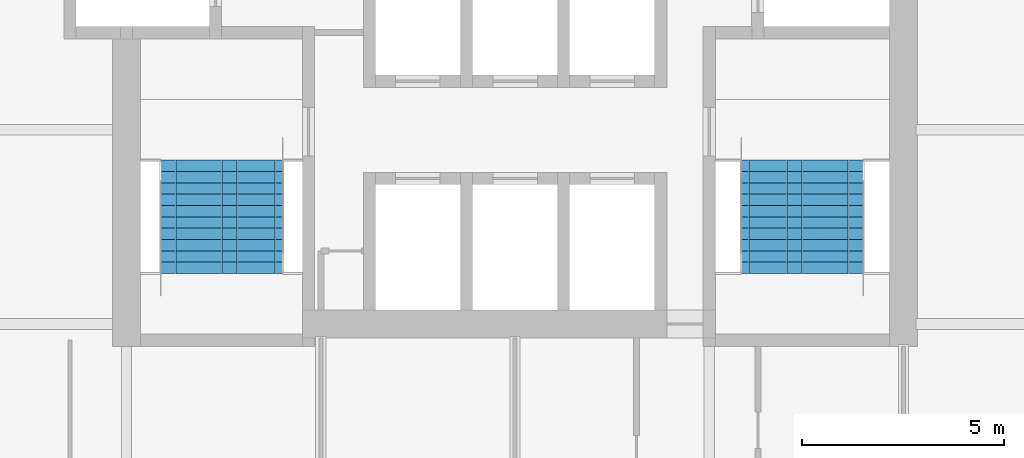
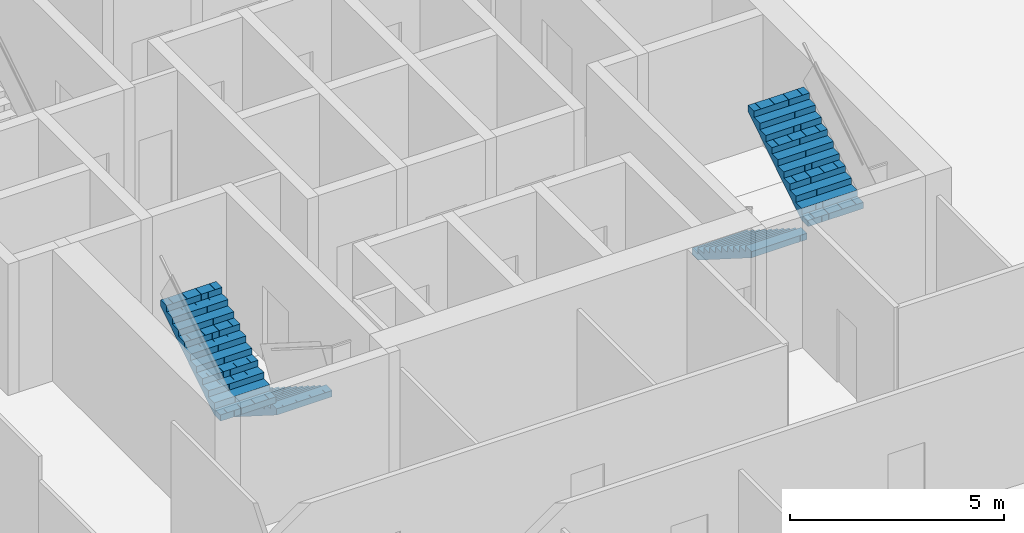
# One storey, part 12 of 15: 4 stair flights, 2 elements without a shape of their own.
"""IFC4 building model written with IfcOpenShell, lengths in metres."""

from ifc_helpers import new_model, si_unit, direction, frame, origin, place, context, subcontext, project, spatial, polyline, outline, extrude, material, type_object, element, aggregate, save


model = new_model("IFC4")

# Units and contexts
model_context = context("Model", 3, precision=1e-05, world=origin(), true_north=direction((0.0, 1.0)))
body_context = subcontext(model_context, "Body", "Model", "MODEL_VIEW")
ifc_project = project(units=[si_unit("LENGTHUNIT", "METRE"), si_unit("AREAUNIT", "SQUARE_METRE"), si_unit("VOLUMEUNIT", "CUBIC_METRE"), si_unit("PLANEANGLEUNIT", "RADIAN"), si_unit("MASSUNIT", "GRAM", prefix="KILO")], contexts=[model_context])

# Site, building, storey
site_placement = place(None, origin())
site = spatial("IfcSite", under=ifc_project, at=site_placement, CompositionType="ELEMENT")
building_placement = place(site_placement, origin())
building = spatial("IfcBuilding", under=site, at=building_placement, Name="Kolab Exchange Tower", CompositionType="ELEMENT")
storey_placement = place(building_placement, frame((0.0, 0.0, 201.199951171875)))
storey = spatial("IfcBuildingStorey", under=building, at=storey_placement, Name="L43", CompositionType="ELEMENT", Elevation=201.199951171875)

# Stair, stair flights
ifc_material = material(Name="Concrete C50/60", Category="concrete")
stair_type_1 = type_object("IfcStairType", Name="STAIR ST3 RISER 177.3", PredefinedType="HALF_TURN_STAIR", material=ifc_material)
stair_1_placement = place(storey_placement, origin())
stair_1 = element("IfcStair", 1, at=stair_1_placement, inside=storey, type_object=stair_type_1, Name="Stair 3", PredefinedType="HALF_TURN_STAIR")
stair_flight_type = type_object("IfcStairFlightType", Name="STAIR FLIGHT 1500 RISER 177.3", PredefinedType="STRAIGHT", material=ifc_material)
stair_flight_1_placement = place(storey_placement, frame((-6.489990234375, -5.550048828125, 0.0), z_axis=(0.0, 0.0, 1.0), x_axis=(0.0, -1.0, 0.0)))
stair_flight_1 = element("IfcStairFlight", 2, at=stair_flight_1_placement, type_object=stair_flight_type, Name="ST3 flight 1", NumberOfRisers=11, NumberOfTreads=10, PredefinedType="STRAIGHT", RiserHeight=0.177272727, TreadLength=0.28, context=body_context, shape_type="SweptSolid", body=[
    extrude(outline(polyline([(0.0, 0.0), (0.0, 0.17724609375), (0.280029296875, 0.17724609375), (0.280029296875, 0.3544921875), (0.56005859375, 0.3544921875), (0.56005859375, 0.53173828125), (0.840087890625, 0.53173828125), (0.840087890625, 0.708984375), (1.1201171875, 0.708984375), (1.1201171875, 0.886474609375), (1.39990234375, 0.886474609375), (1.39990234375, 1.063720703125), (1.679931640625, 1.063720703125), (1.679931640625, 1.240966796875), (1.9599609375, 1.240966796875), (1.9599609375, 1.418212890625), (2.239990234375, 1.418212890625), (2.239990234375, 1.595458984375), (2.52001953125, 1.595458984375), (2.52001953125, 1.772705078125), (2.800048828125, 1.772705078125), (2.800048828125, 1.949951171875), (2.800048828125, 1.59521484375), (0.2802734375, 0.0), (0.0, 0.0)])), frame((0.0, 0.75, 0.0), z_axis=(0.0, -1.0, 0.0), x_axis=(1.0, 0.0, 0.0)), (0.0, 0.0, 1.0), 0.185791015625),
    extrude(outline(polyline([(0.0, 0.0), (0.0, 0.17724609375), (0.280029296875, 0.17724609375), (0.280029296875, 0.3544921875), (0.56005859375, 0.3544921875), (0.56005859375, 0.53173828125), (0.840087890625, 0.53173828125), (0.840087890625, 0.708984375), (1.1201171875, 0.708984375), (1.1201171875, 0.886474609375), (1.39990234375, 0.886474609375), (1.39990234375, 1.063720703125), (1.679931640625, 1.063720703125), (1.679931640625, 1.240966796875), (1.9599609375, 1.240966796875), (1.9599609375, 1.418212890625), (2.239990234375, 1.418212890625), (2.239990234375, 1.595458984375), (2.52001953125, 1.595458984375), (2.52001953125, 1.772705078125), (2.800048828125, 1.772705078125), (2.800048828125, 1.949951171875), (2.800048828125, 1.59521484375), (0.2802734375, 0.0), (0.0, 0.0)])), frame((0.0, 0.562255859375, 0.0), z_axis=(0.0, -1.0, 0.0), x_axis=(1.0, 0.0, 0.0)), (0.0, 0.0, 1.0), 0.185791015625),
    extrude(outline(polyline([(0.0, 0.0), (0.0, 0.17724609375), (0.280029296875, 0.17724609375), (0.280029296875, 0.3544921875), (0.56005859375, 0.3544921875), (0.56005859375, 0.53173828125), (0.840087890625, 0.53173828125), (0.840087890625, 0.708984375), (1.1201171875, 0.708984375), (1.1201171875, 0.886474609375), (1.39990234375, 0.886474609375), (1.39990234375, 1.063720703125), (1.679931640625, 1.063720703125), (1.679931640625, 1.240966796875), (1.9599609375, 1.240966796875), (1.9599609375, 1.418212890625), (2.239990234375, 1.418212890625), (2.239990234375, 1.595458984375), (2.52001953125, 1.595458984375), (2.52001953125, 1.772705078125), (2.800048828125, 1.772705078125), (2.800048828125, 1.949951171875), (2.800048828125, 1.59521484375), (0.2802734375, 0.0), (0.0, 0.0)])), frame((0.0, 0.37451171875, 0.0), z_axis=(0.0, -1.0, 0.0), x_axis=(1.0, 0.0, 0.0)), (0.0, 0.0, 1.0), 0.185791015625),
    extrude(outline(polyline([(0.0, 0.0), (0.0, 0.17724609375), (0.280029296875, 0.17724609375), (0.280029296875, 0.3544921875), (0.56005859375, 0.3544921875), (0.56005859375, 0.53173828125), (0.840087890625, 0.53173828125), (0.840087890625, 0.708984375), (1.1201171875, 0.708984375), (1.1201171875, 0.886474609375), (1.39990234375, 0.886474609375), (1.39990234375, 1.063720703125), (1.679931640625, 1.063720703125), (1.679931640625, 1.240966796875), (1.9599609375, 1.240966796875), (1.9599609375, 1.418212890625), (2.239990234375, 1.418212890625), (2.239990234375, 1.595458984375), (2.52001953125, 1.595458984375), (2.52001953125, 1.772705078125), (2.800048828125, 1.772705078125), (2.800048828125, 1.949951171875), (2.800048828125, 1.59521484375), (0.2802734375, 0.0), (0.0, 0.0)])), frame((0.0, 0.186767578125, 0.0), z_axis=(0.0, -1.0, 0.0), x_axis=(1.0, 0.0, 0.0)), (0.0, 0.0, 1.0), 0.185791015625),
    extrude(outline(polyline([(0.0, 0.0), (0.0, 0.17724609375), (0.280029296875, 0.17724609375), (0.280029296875, 0.3544921875), (0.56005859375, 0.3544921875), (0.56005859375, 0.53173828125), (0.840087890625, 0.53173828125), (0.840087890625, 0.708984375), (1.1201171875, 0.708984375), (1.1201171875, 0.886474609375), (1.39990234375, 0.886474609375), (1.39990234375, 1.063720703125), (1.679931640625, 1.063720703125), (1.679931640625, 1.240966796875), (1.9599609375, 1.240966796875), (1.9599609375, 1.418212890625), (2.239990234375, 1.418212890625), (2.239990234375, 1.595458984375), (2.52001953125, 1.595458984375), (2.52001953125, 1.772705078125), (2.800048828125, 1.772705078125), (2.800048828125, 1.949951171875), (2.800048828125, 1.59521484375), (0.2802734375, 0.0), (0.0, 0.0)])), frame((0.0, -0.0009765625, 0.0), z_axis=(0.0, -1.0, 0.0), x_axis=(1.0, 0.0, 0.0)), (0.0, 0.0, 1.0), 0.185791015625),
    extrude(outline(polyline([(0.0, 0.0), (0.0, 0.17724609375), (0.280029296875, 0.17724609375), (0.280029296875, 0.3544921875), (0.56005859375, 0.3544921875), (0.56005859375, 0.53173828125), (0.840087890625, 0.53173828125), (0.840087890625, 0.708984375), (1.1201171875, 0.708984375), (1.1201171875, 0.886474609375), (1.39990234375, 0.886474609375), (1.39990234375, 1.063720703125), (1.679931640625, 1.063720703125), (1.679931640625, 1.240966796875), (1.9599609375, 1.240966796875), (1.9599609375, 1.418212890625), (2.239990234375, 1.418212890625), (2.239990234375, 1.595458984375), (2.52001953125, 1.595458984375), (2.52001953125, 1.772705078125), (2.800048828125, 1.772705078125), (2.800048828125, 1.949951171875), (2.800048828125, 1.59521484375), (0.2802734375, 0.0), (0.0, 0.0)])), frame((0.0, -0.188720703125, 0.0), z_axis=(0.0, -1.0, 0.0), x_axis=(1.0, 0.0, 0.0)), (0.0, 0.0, 1.0), 0.185791015625),
    extrude(outline(polyline([(0.0, 0.0), (0.0, 0.17724609375), (0.280029296875, 0.17724609375), (0.280029296875, 0.3544921875), (0.56005859375, 0.3544921875), (0.56005859375, 0.53173828125), (0.840087890625, 0.53173828125), (0.840087890625, 0.708984375), (1.1201171875, 0.708984375), (1.1201171875, 0.886474609375), (1.39990234375, 0.886474609375), (1.39990234375, 1.063720703125), (1.679931640625, 1.063720703125), (1.679931640625, 1.240966796875), (1.9599609375, 1.240966796875), (1.9599609375, 1.418212890625), (2.239990234375, 1.418212890625), (2.239990234375, 1.595458984375), (2.52001953125, 1.595458984375), (2.52001953125, 1.772705078125), (2.800048828125, 1.772705078125), (2.800048828125, 1.949951171875), (2.800048828125, 1.59521484375), (0.2802734375, 0.0), (0.0, 0.0)])), frame((0.0, -0.37646484375, 0.0), z_axis=(0.0, -1.0, 0.0), x_axis=(1.0, 0.0, 0.0)), (0.0, 0.0, 1.0), 0.185791015625),
    extrude(outline(polyline([(0.0, 0.0), (0.0, 0.17724609375), (0.280029296875, 0.17724609375), (0.280029296875, 0.3544921875), (0.56005859375, 0.3544921875), (0.56005859375, 0.53173828125), (0.840087890625, 0.53173828125), (0.840087890625, 0.708984375), (1.1201171875, 0.708984375), (1.1201171875, 0.886474609375), (1.39990234375, 0.886474609375), (1.39990234375, 1.063720703125), (1.679931640625, 1.063720703125), (1.679931640625, 1.240966796875), (1.9599609375, 1.240966796875), (1.9599609375, 1.418212890625), (2.239990234375, 1.418212890625), (2.239990234375, 1.595458984375), (2.52001953125, 1.595458984375), (2.52001953125, 1.772705078125), (2.800048828125, 1.772705078125), (2.800048828125, 1.949951171875), (2.800048828125, 1.59521484375), (0.2802734375, 0.0), (0.0, 0.0)])), frame((0.0, -0.564208984375, 0.0), z_axis=(0.0, -1.0, 0.0), x_axis=(1.0, 0.0, 0.0)), (0.0, 0.0, 1.0), 0.185791015625),
])
stair_flight_2_placement = place(storey_placement, frame((-8.010009765625, -8.35009765625, 1.949951171875), z_axis=(0.0, 0.0, 1.0), x_axis=(0.0, 1.0, 0.0)))
stair_flight_2 = element("IfcStairFlight", 3, at=stair_flight_2_placement, type_object=stair_flight_type, Name="ST3 flight 2", NumberOfRisers=11, NumberOfTreads=10, PredefinedType="STRAIGHT", RiserHeight=0.177272727, TreadLength=0.28, context=body_context, shape_type="SweptSolid", body=[
    extrude(outline(polyline([(0.0, 0.0), (0.0, 0.17724609375), (0.280029296875, 0.17724609375), (0.280029296875, 0.3544921875), (0.56005859375, 0.3544921875), (0.56005859375, 0.53173828125), (0.840087890625, 0.53173828125), (0.840087890625, 0.708984375), (1.1201171875, 0.708984375), (1.1201171875, 0.886474609375), (1.39990234375, 0.886474609375), (1.39990234375, 1.063720703125), (1.679931640625, 1.063720703125), (1.679931640625, 1.240966796875), (1.9599609375, 1.240966796875), (1.9599609375, 1.418212890625), (2.239990234375, 1.418212890625), (2.239990234375, 1.595458984375), (2.52001953125, 1.595458984375), (2.52001953125, 1.772705078125), (2.800048828125, 1.772705078125), (2.800048828125, 1.949951171875), (2.800048828125, 1.59521484375), (0.2802734375, 0.0), (0.0, 0.0)])), frame((0.0, 0.75, 0.0), z_axis=(0.0, -1.0, 0.0), x_axis=(1.0, 0.0, 0.0)), (0.0, 0.0, 1.0), 0.185791015625),
    extrude(outline(polyline([(0.0, 0.0), (0.0, 0.17724609375), (0.280029296875, 0.17724609375), (0.280029296875, 0.3544921875), (0.56005859375, 0.3544921875), (0.56005859375, 0.53173828125), (0.840087890625, 0.53173828125), (0.840087890625, 0.708984375), (1.1201171875, 0.708984375), (1.1201171875, 0.886474609375), (1.39990234375, 0.886474609375), (1.39990234375, 1.063720703125), (1.679931640625, 1.063720703125), (1.679931640625, 1.240966796875), (1.9599609375, 1.240966796875), (1.9599609375, 1.418212890625), (2.239990234375, 1.418212890625), (2.239990234375, 1.595458984375), (2.52001953125, 1.595458984375), (2.52001953125, 1.772705078125), (2.800048828125, 1.772705078125), (2.800048828125, 1.949951171875), (2.800048828125, 1.59521484375), (0.2802734375, 0.0), (0.0, 0.0)])), frame((0.0, 0.562255859375, 0.0), z_axis=(0.0, -1.0, 0.0), x_axis=(1.0, 0.0, 0.0)), (0.0, 0.0, 1.0), 0.185791015625),
    extrude(outline(polyline([(0.0, 0.0), (0.0, 0.17724609375), (0.280029296875, 0.17724609375), (0.280029296875, 0.3544921875), (0.56005859375, 0.3544921875), (0.56005859375, 0.53173828125), (0.840087890625, 0.53173828125), (0.840087890625, 0.708984375), (1.1201171875, 0.708984375), (1.1201171875, 0.886474609375), (1.39990234375, 0.886474609375), (1.39990234375, 1.063720703125), (1.679931640625, 1.063720703125), (1.679931640625, 1.240966796875), (1.9599609375, 1.240966796875), (1.9599609375, 1.418212890625), (2.239990234375, 1.418212890625), (2.239990234375, 1.595458984375), (2.52001953125, 1.595458984375), (2.52001953125, 1.772705078125), (2.800048828125, 1.772705078125), (2.800048828125, 1.949951171875), (2.800048828125, 1.59521484375), (0.2802734375, 0.0), (0.0, 0.0)])), frame((0.0, 0.37451171875, 0.0), z_axis=(0.0, -1.0, 0.0), x_axis=(1.0, 0.0, 0.0)), (0.0, 0.0, 1.0), 0.185791015625),
    extrude(outline(polyline([(0.0, 0.0), (0.0, 0.17724609375), (0.280029296875, 0.17724609375), (0.280029296875, 0.3544921875), (0.56005859375, 0.3544921875), (0.56005859375, 0.53173828125), (0.840087890625, 0.53173828125), (0.840087890625, 0.708984375), (1.1201171875, 0.708984375), (1.1201171875, 0.886474609375), (1.39990234375, 0.886474609375), (1.39990234375, 1.063720703125), (1.679931640625, 1.063720703125), (1.679931640625, 1.240966796875), (1.9599609375, 1.240966796875), (1.9599609375, 1.418212890625), (2.239990234375, 1.418212890625), (2.239990234375, 1.595458984375), (2.52001953125, 1.595458984375), (2.52001953125, 1.772705078125), (2.800048828125, 1.772705078125), (2.800048828125, 1.949951171875), (2.800048828125, 1.59521484375), (0.2802734375, 0.0), (0.0, 0.0)])), frame((0.0, 0.186767578125, 0.0), z_axis=(0.0, -1.0, 0.0), x_axis=(1.0, 0.0, 0.0)), (0.0, 0.0, 1.0), 0.185791015625),
    extrude(outline(polyline([(0.0, 0.0), (0.0, 0.17724609375), (0.280029296875, 0.17724609375), (0.280029296875, 0.3544921875), (0.56005859375, 0.3544921875), (0.56005859375, 0.53173828125), (0.840087890625, 0.53173828125), (0.840087890625, 0.708984375), (1.1201171875, 0.708984375), (1.1201171875, 0.886474609375), (1.39990234375, 0.886474609375), (1.39990234375, 1.063720703125), (1.679931640625, 1.063720703125), (1.679931640625, 1.240966796875), (1.9599609375, 1.240966796875), (1.9599609375, 1.418212890625), (2.239990234375, 1.418212890625), (2.239990234375, 1.595458984375), (2.52001953125, 1.595458984375), (2.52001953125, 1.772705078125), (2.800048828125, 1.772705078125), (2.800048828125, 1.949951171875), (2.800048828125, 1.59521484375), (0.2802734375, 0.0), (0.0, 0.0)])), frame((0.0, -0.0009765625, 0.0), z_axis=(0.0, -1.0, 0.0), x_axis=(1.0, 0.0, 0.0)), (0.0, 0.0, 1.0), 0.185791015625),
    extrude(outline(polyline([(0.0, 0.0), (0.0, 0.17724609375), (0.280029296875, 0.17724609375), (0.280029296875, 0.3544921875), (0.56005859375, 0.3544921875), (0.56005859375, 0.53173828125), (0.840087890625, 0.53173828125), (0.840087890625, 0.708984375), (1.1201171875, 0.708984375), (1.1201171875, 0.886474609375), (1.39990234375, 0.886474609375), (1.39990234375, 1.063720703125), (1.679931640625, 1.063720703125), (1.679931640625, 1.240966796875), (1.9599609375, 1.240966796875), (1.9599609375, 1.418212890625), (2.239990234375, 1.418212890625), (2.239990234375, 1.595458984375), (2.52001953125, 1.595458984375), (2.52001953125, 1.772705078125), (2.800048828125, 1.772705078125), (2.800048828125, 1.949951171875), (2.800048828125, 1.59521484375), (0.2802734375, 0.0), (0.0, 0.0)])), frame((0.0, -0.188720703125, 0.0), z_axis=(0.0, -1.0, 0.0), x_axis=(1.0, 0.0, 0.0)), (0.0, 0.0, 1.0), 0.185791015625),
    extrude(outline(polyline([(0.0, 0.0), (0.0, 0.17724609375), (0.280029296875, 0.17724609375), (0.280029296875, 0.3544921875), (0.56005859375, 0.3544921875), (0.56005859375, 0.53173828125), (0.840087890625, 0.53173828125), (0.840087890625, 0.708984375), (1.1201171875, 0.708984375), (1.1201171875, 0.886474609375), (1.39990234375, 0.886474609375), (1.39990234375, 1.063720703125), (1.679931640625, 1.063720703125), (1.679931640625, 1.240966796875), (1.9599609375, 1.240966796875), (1.9599609375, 1.418212890625), (2.239990234375, 1.418212890625), (2.239990234375, 1.595458984375), (2.52001953125, 1.595458984375), (2.52001953125, 1.772705078125), (2.800048828125, 1.772705078125), (2.800048828125, 1.949951171875), (2.800048828125, 1.59521484375), (0.2802734375, 0.0), (0.0, 0.0)])), frame((0.0, -0.37646484375, 0.0), z_axis=(0.0, -1.0, 0.0), x_axis=(1.0, 0.0, 0.0)), (0.0, 0.0, 1.0), 0.185791015625),
    extrude(outline(polyline([(0.0, 0.0), (0.0, 0.17724609375), (0.280029296875, 0.17724609375), (0.280029296875, 0.3544921875), (0.56005859375, 0.3544921875), (0.56005859375, 0.53173828125), (0.840087890625, 0.53173828125), (0.840087890625, 0.708984375), (1.1201171875, 0.708984375), (1.1201171875, 0.886474609375), (1.39990234375, 0.886474609375), (1.39990234375, 1.063720703125), (1.679931640625, 1.063720703125), (1.679931640625, 1.240966796875), (1.9599609375, 1.240966796875), (1.9599609375, 1.418212890625), (2.239990234375, 1.418212890625), (2.239990234375, 1.595458984375), (2.52001953125, 1.595458984375), (2.52001953125, 1.772705078125), (2.800048828125, 1.772705078125), (2.800048828125, 1.949951171875), (2.800048828125, 1.59521484375), (0.2802734375, 0.0), (0.0, 0.0)])), frame((0.0, -0.564208984375, 0.0), z_axis=(0.0, -1.0, 0.0), x_axis=(1.0, 0.0, 0.0)), (0.0, 0.0, 1.0), 0.185791015625),
])
aggregate(stair_1, [stair_flight_1, stair_flight_2])

stair_type_2 = type_object("IfcStairType", Name="STAIR ST2 RISER 177.3", PredefinedType="HALF_TURN_STAIR", material=ifc_material)
stair_2_placement = place(storey_placement, origin())
stair_2 = element("IfcStair", 4, at=stair_2_placement, inside=storey, type_object=stair_type_2, Name="Stair 2", PredefinedType="HALF_TURN_STAIR")
stair_flight_3_placement = place(storey_placement, frame((6.340087890625, -5.550048828125, 0.0), z_axis=(0.0, 0.0, 1.0), x_axis=(0.0, -1.0, 0.0)))
stair_flight_3 = element("IfcStairFlight", 5, at=stair_flight_3_placement, type_object=stair_flight_type, Name="ST2 flight 1", NumberOfRisers=11, NumberOfTreads=10, PredefinedType="STRAIGHT", RiserHeight=0.177272727, TreadLength=0.28, context=body_context, shape_type="SweptSolid", body=[
    extrude(outline(polyline([(0.0, 0.0), (0.0, 0.17724609375), (0.280029296875, 0.17724609375), (0.280029296875, 0.3544921875), (0.56005859375, 0.3544921875), (0.56005859375, 0.53173828125), (0.840087890625, 0.53173828125), (0.840087890625, 0.708984375), (1.1201171875, 0.708984375), (1.1201171875, 0.886474609375), (1.39990234375, 0.886474609375), (1.39990234375, 1.063720703125), (1.679931640625, 1.063720703125), (1.679931640625, 1.240966796875), (1.9599609375, 1.240966796875), (1.9599609375, 1.418212890625), (2.239990234375, 1.418212890625), (2.239990234375, 1.595458984375), (2.52001953125, 1.595458984375), (2.52001953125, 1.772705078125), (2.800048828125, 1.772705078125), (2.800048828125, 1.949951171875), (2.800048828125, 1.59521484375), (0.2802734375, 0.0), (0.0, 0.0)])), frame((0.0, 0.75, 0.0), z_axis=(0.0, -1.0, 0.0), x_axis=(1.0, 0.0, 0.0)), (0.0, 0.0, 1.0), 0.185791015625),
    extrude(outline(polyline([(0.0, 0.0), (0.0, 0.17724609375), (0.280029296875, 0.17724609375), (0.280029296875, 0.3544921875), (0.56005859375, 0.3544921875), (0.56005859375, 0.53173828125), (0.840087890625, 0.53173828125), (0.840087890625, 0.708984375), (1.1201171875, 0.708984375), (1.1201171875, 0.886474609375), (1.39990234375, 0.886474609375), (1.39990234375, 1.063720703125), (1.679931640625, 1.063720703125), (1.679931640625, 1.240966796875), (1.9599609375, 1.240966796875), (1.9599609375, 1.418212890625), (2.239990234375, 1.418212890625), (2.239990234375, 1.595458984375), (2.52001953125, 1.595458984375), (2.52001953125, 1.772705078125), (2.800048828125, 1.772705078125), (2.800048828125, 1.949951171875), (2.800048828125, 1.59521484375), (0.2802734375, 0.0), (0.0, 0.0)])), frame((0.0, 0.562255859375, 0.0), z_axis=(0.0, -1.0, 0.0), x_axis=(1.0, 0.0, 0.0)), (0.0, 0.0, 1.0), 0.185791015625),
    extrude(outline(polyline([(0.0, 0.0), (0.0, 0.17724609375), (0.280029296875, 0.17724609375), (0.280029296875, 0.3544921875), (0.56005859375, 0.3544921875), (0.56005859375, 0.53173828125), (0.840087890625, 0.53173828125), (0.840087890625, 0.708984375), (1.1201171875, 0.708984375), (1.1201171875, 0.886474609375), (1.39990234375, 0.886474609375), (1.39990234375, 1.063720703125), (1.679931640625, 1.063720703125), (1.679931640625, 1.240966796875), (1.9599609375, 1.240966796875), (1.9599609375, 1.418212890625), (2.239990234375, 1.418212890625), (2.239990234375, 1.595458984375), (2.52001953125, 1.595458984375), (2.52001953125, 1.772705078125), (2.800048828125, 1.772705078125), (2.800048828125, 1.949951171875), (2.800048828125, 1.59521484375), (0.2802734375, 0.0), (0.0, 0.0)])), frame((0.0, 0.37451171875, 0.0), z_axis=(0.0, -1.0, 0.0), x_axis=(1.0, 0.0, 0.0)), (0.0, 0.0, 1.0), 0.185791015625),
    extrude(outline(polyline([(0.0, 0.0), (0.0, 0.17724609375), (0.280029296875, 0.17724609375), (0.280029296875, 0.3544921875), (0.56005859375, 0.3544921875), (0.56005859375, 0.53173828125), (0.840087890625, 0.53173828125), (0.840087890625, 0.708984375), (1.1201171875, 0.708984375), (1.1201171875, 0.886474609375), (1.39990234375, 0.886474609375), (1.39990234375, 1.063720703125), (1.679931640625, 1.063720703125), (1.679931640625, 1.240966796875), (1.9599609375, 1.240966796875), (1.9599609375, 1.418212890625), (2.239990234375, 1.418212890625), (2.239990234375, 1.595458984375), (2.52001953125, 1.595458984375), (2.52001953125, 1.772705078125), (2.800048828125, 1.772705078125), (2.800048828125, 1.949951171875), (2.800048828125, 1.59521484375), (0.2802734375, 0.0), (0.0, 0.0)])), frame((0.0, 0.186767578125, 0.0), z_axis=(0.0, -1.0, 0.0), x_axis=(1.0, 0.0, 0.0)), (0.0, 0.0, 1.0), 0.185791015625),
    extrude(outline(polyline([(0.0, 0.0), (0.0, 0.17724609375), (0.280029296875, 0.17724609375), (0.280029296875, 0.3544921875), (0.56005859375, 0.3544921875), (0.56005859375, 0.53173828125), (0.840087890625, 0.53173828125), (0.840087890625, 0.708984375), (1.1201171875, 0.708984375), (1.1201171875, 0.886474609375), (1.39990234375, 0.886474609375), (1.39990234375, 1.063720703125), (1.679931640625, 1.063720703125), (1.679931640625, 1.240966796875), (1.9599609375, 1.240966796875), (1.9599609375, 1.418212890625), (2.239990234375, 1.418212890625), (2.239990234375, 1.595458984375), (2.52001953125, 1.595458984375), (2.52001953125, 1.772705078125), (2.800048828125, 1.772705078125), (2.800048828125, 1.949951171875), (2.800048828125, 1.59521484375), (0.2802734375, 0.0), (0.0, 0.0)])), frame((0.0, -0.0009765625, 0.0), z_axis=(0.0, -1.0, 0.0), x_axis=(1.0, 0.0, 0.0)), (0.0, 0.0, 1.0), 0.185791015625),
    extrude(outline(polyline([(0.0, 0.0), (0.0, 0.17724609375), (0.280029296875, 0.17724609375), (0.280029296875, 0.3544921875), (0.56005859375, 0.3544921875), (0.56005859375, 0.53173828125), (0.840087890625, 0.53173828125), (0.840087890625, 0.708984375), (1.1201171875, 0.708984375), (1.1201171875, 0.886474609375), (1.39990234375, 0.886474609375), (1.39990234375, 1.063720703125), (1.679931640625, 1.063720703125), (1.679931640625, 1.240966796875), (1.9599609375, 1.240966796875), (1.9599609375, 1.418212890625), (2.239990234375, 1.418212890625), (2.239990234375, 1.595458984375), (2.52001953125, 1.595458984375), (2.52001953125, 1.772705078125), (2.800048828125, 1.772705078125), (2.800048828125, 1.949951171875), (2.800048828125, 1.59521484375), (0.2802734375, 0.0), (0.0, 0.0)])), frame((0.0, -0.188720703125, 0.0), z_axis=(0.0, -1.0, 0.0), x_axis=(1.0, 0.0, 0.0)), (0.0, 0.0, 1.0), 0.185791015625),
    extrude(outline(polyline([(0.0, 0.0), (0.0, 0.17724609375), (0.280029296875, 0.17724609375), (0.280029296875, 0.3544921875), (0.56005859375, 0.3544921875), (0.56005859375, 0.53173828125), (0.840087890625, 0.53173828125), (0.840087890625, 0.708984375), (1.1201171875, 0.708984375), (1.1201171875, 0.886474609375), (1.39990234375, 0.886474609375), (1.39990234375, 1.063720703125), (1.679931640625, 1.063720703125), (1.679931640625, 1.240966796875), (1.9599609375, 1.240966796875), (1.9599609375, 1.418212890625), (2.239990234375, 1.418212890625), (2.239990234375, 1.595458984375), (2.52001953125, 1.595458984375), (2.52001953125, 1.772705078125), (2.800048828125, 1.772705078125), (2.800048828125, 1.949951171875), (2.800048828125, 1.59521484375), (0.2802734375, 0.0), (0.0, 0.0)])), frame((0.0, -0.37646484375, 0.0), z_axis=(0.0, -1.0, 0.0), x_axis=(1.0, 0.0, 0.0)), (0.0, 0.0, 1.0), 0.185791015625),
    extrude(outline(polyline([(0.0, 0.0), (0.0, 0.17724609375), (0.280029296875, 0.17724609375), (0.280029296875, 0.3544921875), (0.56005859375, 0.3544921875), (0.56005859375, 0.53173828125), (0.840087890625, 0.53173828125), (0.840087890625, 0.708984375), (1.1201171875, 0.708984375), (1.1201171875, 0.886474609375), (1.39990234375, 0.886474609375), (1.39990234375, 1.063720703125), (1.679931640625, 1.063720703125), (1.679931640625, 1.240966796875), (1.9599609375, 1.240966796875), (1.9599609375, 1.418212890625), (2.239990234375, 1.418212890625), (2.239990234375, 1.595458984375), (2.52001953125, 1.595458984375), (2.52001953125, 1.772705078125), (2.800048828125, 1.772705078125), (2.800048828125, 1.949951171875), (2.800048828125, 1.59521484375), (0.2802734375, 0.0), (0.0, 0.0)])), frame((0.0, -0.564208984375, 0.0), z_axis=(0.0, -1.0, 0.0), x_axis=(1.0, 0.0, 0.0)), (0.0, 0.0, 1.0), 0.185791015625),
])
stair_flight_4_placement = place(storey_placement, frame((7.860107421875, -8.35009765625, 1.949951171875), z_axis=(0.0, 0.0, 1.0), x_axis=(0.0, 1.0, 0.0)))
stair_flight_4 = element("IfcStairFlight", 6, at=stair_flight_4_placement, type_object=stair_flight_type, Name="ST2 flight 2", NumberOfRisers=11, NumberOfTreads=10, PredefinedType="STRAIGHT", RiserHeight=0.177272727, TreadLength=0.28, context=body_context, shape_type="SweptSolid", body=[
    extrude(outline(polyline([(0.0, 0.0), (0.0, 0.17724609375), (0.280029296875, 0.17724609375), (0.280029296875, 0.3544921875), (0.56005859375, 0.3544921875), (0.56005859375, 0.53173828125), (0.840087890625, 0.53173828125), (0.840087890625, 0.708984375), (1.1201171875, 0.708984375), (1.1201171875, 0.886474609375), (1.39990234375, 0.886474609375), (1.39990234375, 1.063720703125), (1.679931640625, 1.063720703125), (1.679931640625, 1.240966796875), (1.9599609375, 1.240966796875), (1.9599609375, 1.418212890625), (2.239990234375, 1.418212890625), (2.239990234375, 1.595458984375), (2.52001953125, 1.595458984375), (2.52001953125, 1.772705078125), (2.800048828125, 1.772705078125), (2.800048828125, 1.949951171875), (2.800048828125, 1.59521484375), (0.2802734375, 0.0), (0.0, 0.0)])), frame((0.0, 0.75, 0.0), z_axis=(0.0, -1.0, 0.0), x_axis=(1.0, 0.0, 0.0)), (0.0, 0.0, 1.0), 0.185791015625),
    extrude(outline(polyline([(0.0, 0.0), (0.0, 0.17724609375), (0.280029296875, 0.17724609375), (0.280029296875, 0.3544921875), (0.56005859375, 0.3544921875), (0.56005859375, 0.53173828125), (0.840087890625, 0.53173828125), (0.840087890625, 0.708984375), (1.1201171875, 0.708984375), (1.1201171875, 0.886474609375), (1.39990234375, 0.886474609375), (1.39990234375, 1.063720703125), (1.679931640625, 1.063720703125), (1.679931640625, 1.240966796875), (1.9599609375, 1.240966796875), (1.9599609375, 1.418212890625), (2.239990234375, 1.418212890625), (2.239990234375, 1.595458984375), (2.52001953125, 1.595458984375), (2.52001953125, 1.772705078125), (2.800048828125, 1.772705078125), (2.800048828125, 1.949951171875), (2.800048828125, 1.59521484375), (0.2802734375, 0.0), (0.0, 0.0)])), frame((0.0, 0.562255859375, 0.0), z_axis=(0.0, -1.0, 0.0), x_axis=(1.0, 0.0, 0.0)), (0.0, 0.0, 1.0), 0.185791015625),
    extrude(outline(polyline([(0.0, 0.0), (0.0, 0.17724609375), (0.280029296875, 0.17724609375), (0.280029296875, 0.3544921875), (0.56005859375, 0.3544921875), (0.56005859375, 0.53173828125), (0.840087890625, 0.53173828125), (0.840087890625, 0.708984375), (1.1201171875, 0.708984375), (1.1201171875, 0.886474609375), (1.39990234375, 0.886474609375), (1.39990234375, 1.063720703125), (1.679931640625, 1.063720703125), (1.679931640625, 1.240966796875), (1.9599609375, 1.240966796875), (1.9599609375, 1.418212890625), (2.239990234375, 1.418212890625), (2.239990234375, 1.595458984375), (2.52001953125, 1.595458984375), (2.52001953125, 1.772705078125), (2.800048828125, 1.772705078125), (2.800048828125, 1.949951171875), (2.800048828125, 1.59521484375), (0.2802734375, 0.0), (0.0, 0.0)])), frame((0.0, 0.37451171875, 0.0), z_axis=(0.0, -1.0, 0.0), x_axis=(1.0, 0.0, 0.0)), (0.0, 0.0, 1.0), 0.185791015625),
    extrude(outline(polyline([(0.0, 0.0), (0.0, 0.17724609375), (0.280029296875, 0.17724609375), (0.280029296875, 0.3544921875), (0.56005859375, 0.3544921875), (0.56005859375, 0.53173828125), (0.840087890625, 0.53173828125), (0.840087890625, 0.708984375), (1.1201171875, 0.708984375), (1.1201171875, 0.886474609375), (1.39990234375, 0.886474609375), (1.39990234375, 1.063720703125), (1.679931640625, 1.063720703125), (1.679931640625, 1.240966796875), (1.9599609375, 1.240966796875), (1.9599609375, 1.418212890625), (2.239990234375, 1.418212890625), (2.239990234375, 1.595458984375), (2.52001953125, 1.595458984375), (2.52001953125, 1.772705078125), (2.800048828125, 1.772705078125), (2.800048828125, 1.949951171875), (2.800048828125, 1.59521484375), (0.2802734375, 0.0), (0.0, 0.0)])), frame((0.0, 0.186767578125, 0.0), z_axis=(0.0, -1.0, 0.0), x_axis=(1.0, 0.0, 0.0)), (0.0, 0.0, 1.0), 0.185791015625),
    extrude(outline(polyline([(0.0, 0.0), (0.0, 0.17724609375), (0.280029296875, 0.17724609375), (0.280029296875, 0.3544921875), (0.56005859375, 0.3544921875), (0.56005859375, 0.53173828125), (0.840087890625, 0.53173828125), (0.840087890625, 0.708984375), (1.1201171875, 0.708984375), (1.1201171875, 0.886474609375), (1.39990234375, 0.886474609375), (1.39990234375, 1.063720703125), (1.679931640625, 1.063720703125), (1.679931640625, 1.240966796875), (1.9599609375, 1.240966796875), (1.9599609375, 1.418212890625), (2.239990234375, 1.418212890625), (2.239990234375, 1.595458984375), (2.52001953125, 1.595458984375), (2.52001953125, 1.772705078125), (2.800048828125, 1.772705078125), (2.800048828125, 1.949951171875), (2.800048828125, 1.59521484375), (0.2802734375, 0.0), (0.0, 0.0)])), frame((0.0, -0.0009765625, 0.0), z_axis=(0.0, -1.0, 0.0), x_axis=(1.0, 0.0, 0.0)), (0.0, 0.0, 1.0), 0.185791015625),
    extrude(outline(polyline([(0.0, 0.0), (0.0, 0.17724609375), (0.280029296875, 0.17724609375), (0.280029296875, 0.3544921875), (0.56005859375, 0.3544921875), (0.56005859375, 0.53173828125), (0.840087890625, 0.53173828125), (0.840087890625, 0.708984375), (1.1201171875, 0.708984375), (1.1201171875, 0.886474609375), (1.39990234375, 0.886474609375), (1.39990234375, 1.063720703125), (1.679931640625, 1.063720703125), (1.679931640625, 1.240966796875), (1.9599609375, 1.240966796875), (1.9599609375, 1.418212890625), (2.239990234375, 1.418212890625), (2.239990234375, 1.595458984375), (2.52001953125, 1.595458984375), (2.52001953125, 1.772705078125), (2.800048828125, 1.772705078125), (2.800048828125, 1.949951171875), (2.800048828125, 1.59521484375), (0.2802734375, 0.0), (0.0, 0.0)])), frame((0.0, -0.188720703125, 0.0), z_axis=(0.0, -1.0, 0.0), x_axis=(1.0, 0.0, 0.0)), (0.0, 0.0, 1.0), 0.185791015625),
    extrude(outline(polyline([(0.0, 0.0), (0.0, 0.17724609375), (0.280029296875, 0.17724609375), (0.280029296875, 0.3544921875), (0.56005859375, 0.3544921875), (0.56005859375, 0.53173828125), (0.840087890625, 0.53173828125), (0.840087890625, 0.708984375), (1.1201171875, 0.708984375), (1.1201171875, 0.886474609375), (1.39990234375, 0.886474609375), (1.39990234375, 1.063720703125), (1.679931640625, 1.063720703125), (1.679931640625, 1.240966796875), (1.9599609375, 1.240966796875), (1.9599609375, 1.418212890625), (2.239990234375, 1.418212890625), (2.239990234375, 1.595458984375), (2.52001953125, 1.595458984375), (2.52001953125, 1.772705078125), (2.800048828125, 1.772705078125), (2.800048828125, 1.949951171875), (2.800048828125, 1.59521484375), (0.2802734375, 0.0), (0.0, 0.0)])), frame((0.0, -0.37646484375, 0.0), z_axis=(0.0, -1.0, 0.0), x_axis=(1.0, 0.0, 0.0)), (0.0, 0.0, 1.0), 0.185791015625),
    extrude(outline(polyline([(0.0, 0.0), (0.0, 0.17724609375), (0.280029296875, 0.17724609375), (0.280029296875, 0.3544921875), (0.56005859375, 0.3544921875), (0.56005859375, 0.53173828125), (0.840087890625, 0.53173828125), (0.840087890625, 0.708984375), (1.1201171875, 0.708984375), (1.1201171875, 0.886474609375), (1.39990234375, 0.886474609375), (1.39990234375, 1.063720703125), (1.679931640625, 1.063720703125), (1.679931640625, 1.240966796875), (1.9599609375, 1.240966796875), (1.9599609375, 1.418212890625), (2.239990234375, 1.418212890625), (2.239990234375, 1.595458984375), (2.52001953125, 1.595458984375), (2.52001953125, 1.772705078125), (2.800048828125, 1.772705078125), (2.800048828125, 1.949951171875), (2.800048828125, 1.59521484375), (0.2802734375, 0.0), (0.0, 0.0)])), frame((0.0, -0.564208984375, 0.0), z_axis=(0.0, -1.0, 0.0), x_axis=(1.0, 0.0, 0.0)), (0.0, 0.0, 1.0), 0.185791015625),
])
aggregate(stair_2, [stair_flight_3, stair_flight_4])

save(model, "model.ifc")
